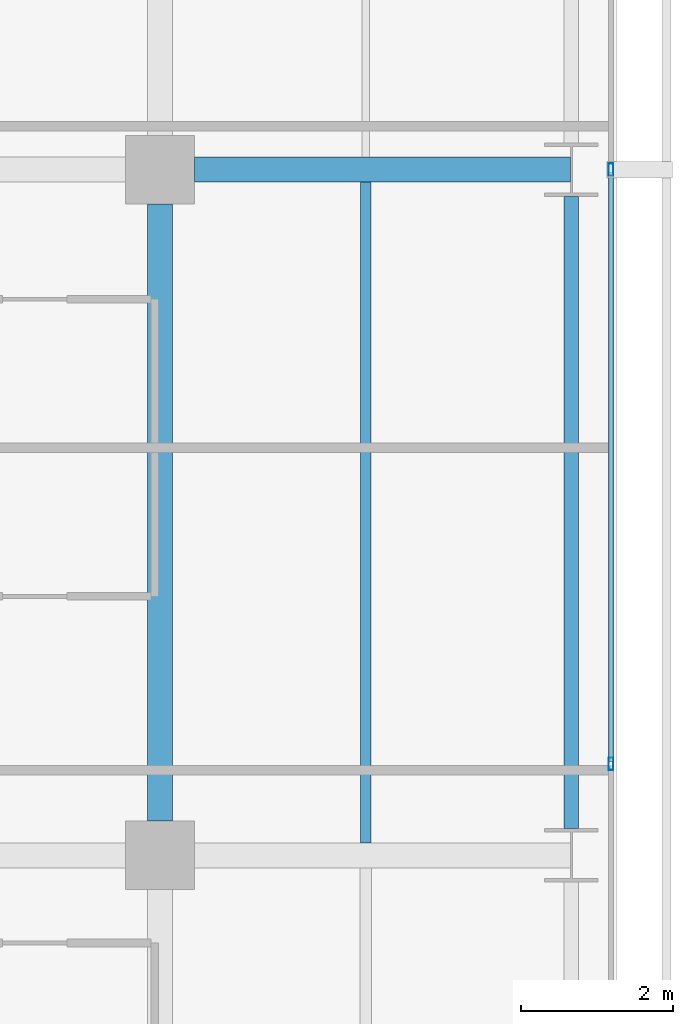
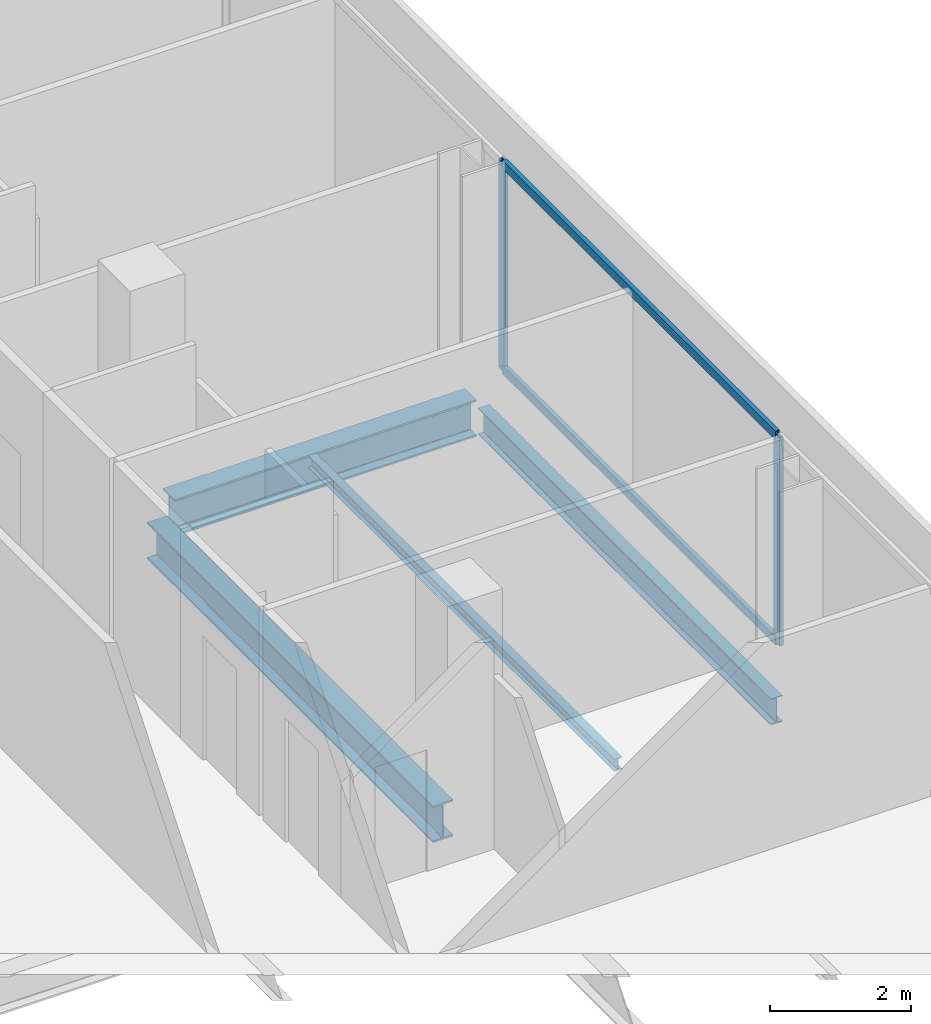
# One storey, part 19 of 40: 4 beams, 4 members, 1 element without a shape of its own.
"""IFC4 building model written with IfcOpenShell, lengths in metres."""

from ifc_helpers import new_model, si_unit, direction, frame, origin, origin_2d, place, context, subcontext, project, spatial, hollow_rectangle, i_section, extrude, material, layer, layer_set, material_profile, profile_set, type_object, element, aggregate, save


model = new_model("IFC4")

# Units and contexts
model_context = context("Model", 3, precision=1e-05, world=origin(), true_north=direction((0.0, 1.0)))
body_context = subcontext(model_context, "Body", "Model", "MODEL_VIEW")
ifc_project = project(units=[si_unit("LENGTHUNIT", "METRE"), si_unit("AREAUNIT", "SQUARE_METRE"), si_unit("VOLUMEUNIT", "CUBIC_METRE"), si_unit("PLANEANGLEUNIT", "RADIAN"), si_unit("MASSUNIT", "GRAM", prefix="KILO")], contexts=[model_context])

# Site, building, storey
site_placement = place(None, origin())
site = spatial("IfcSite", under=ifc_project, at=site_placement, CompositionType="ELEMENT")
building_placement = place(site_placement, origin())
building = spatial("IfcBuilding", under=site, at=building_placement, Name="Maruvema Waterfront Hotel and Observation Tower", CompositionType="ELEMENT")
storey_placement = place(building_placement, frame((0.0, 0.0, 30.800048828125)))
storey = spatial("IfcBuildingStorey", under=building, at=storey_placement, Name="L06", CompositionType="ELEMENT", Elevation=30.800048828125)

# Curtain wall, members
ifc_material_1 = material(Name="Anodised bronze aluminium and solar-control low-E IGU", Category="aluminium")
ifc_layer = layer(ifc_material_1, 0.159912109375, Name="Zone 1 Bronze Inner Thermal Curtain Wall System CW-02")
ifc_layer_set = layer_set([ifc_layer], Name="Anodised bronze aluminium and solar-control low-E IGU")
curtain_wall_type = type_object("IfcCurtainWallType", Name="Zone 1 Bronze Inner Thermal Curtain Wall System CW-02", PredefinedType="USERDEFINED", material=ifc_layer_set)
curtain_wall_placement = place(storey_placement, origin())
curtain_wall = element("IfcCurtainWall", 1, at=curtain_wall_placement, inside=storey, type_object=curtain_wall_type, Name="L06 Curtain Wall CW-L06-E", ObjectType="UNITISED CURTAIN WALL", PredefinedType="USERDEFINED")
ifc_material_2 = material(Name="Anodised architectural bronze aluminium", Category="aluminium")
ifc_material_profile_1 = material_profile(ifc_material_2, hollow_rectangle(XDim=0.070068359375, YDim=0.14990234375, WallThickness=0.00390625, at=origin_2d()), Name="ALU-T70x150")
ifc_profile_set_1 = profile_set([ifc_material_profile_1], Name="Anodised architectural bronze aluminium")
member_type_1 = type_object("IfcMemberType", Name="Curtain Wall Horizontal Transom ALU-T70x150", PredefinedType="USERDEFINED", material=ifc_profile_set_1)
member_1_placement = place(storey_placement, frame((64.719970703125, 19.22998046875, 0.030029296875), z_axis=(0.0, 1.0, 0.0), x_axis=(-1.0, 0.0, 0.0)))
member_1 = element("IfcMember", 2, at=member_1_placement, type_object=member_type_1, Name="CW-02 transom 3.1", ObjectType="TRANSOM", PredefinedType="USERDEFINED", context=body_context, shape_type="SweptSolid", body=[
    extrude(hollow_rectangle(XDim=0.070068359375, YDim=0.14990234375, WallThickness=0.00390625, at=origin_2d()), origin(), (0.0, 0.0, 1.0), 7.739990234375),
])
member_2_placement = place(storey_placement, frame((64.719970703125, 19.22998046875, 3.579833984375), z_axis=(0.0, 1.0, 0.0), x_axis=(-1.0, 0.0, 0.0)))
member_2 = element("IfcMember", 3, at=member_2_placement, type_object=member_type_1, Name="CW-02 transom 3.2", ObjectType="TRANSOM", PredefinedType="USERDEFINED", context=body_context, shape_type="SweptSolid", body=[
    extrude(hollow_rectangle(XDim=0.070068359375, YDim=0.14990234375, WallThickness=0.00390625, at=origin_2d()), origin(), (0.0, 0.0, 1.0), 7.739990234375),
])
ifc_material_3 = material(Name="Anodised architectural bronze aluminium", Category="aluminium")
ifc_material_profile_2 = material_profile(ifc_material_3, hollow_rectangle(XDim=0.06494140625, YDim=0.1650390625, WallThickness=0.00390625, at=origin_2d()), Name="ALU-M65x165")
ifc_profile_set_2 = profile_set([ifc_material_profile_2], Name="Anodised architectural bronze aluminium")
member_type_2 = type_object("IfcMemberType", Name="Curtain Wall Primary Mullion ALU-M65x165", PredefinedType="MULLION", material=ifc_profile_set_2)
member_3_placement = place(storey_placement, frame((64.719970703125, 19.199951171875, 0.0), z_axis=(0.0, 0.0, 1.0), x_axis=(-1.0, 0.0, 0.0)))
member_3 = element("IfcMember", 4, at=member_3_placement, type_object=member_type_2, Name="CW-02 mullion 3", PredefinedType="MULLION", context=body_context, shape_type="SweptSolid", body=[
    extrude(hollow_rectangle(XDim=0.06494140625, YDim=0.1650390625, WallThickness=0.00390625, at=origin_2d()), origin(), (0.0, 0.0, 1.0), 3.60986328125),
])
member_4_placement = place(storey_placement, frame((64.719970703125, 27.0, 0.0), z_axis=(0.0, 0.0, 1.0), x_axis=(-1.0, 0.0, 0.0)))
member_4 = element("IfcMember", 5, at=member_4_placement, type_object=member_type_2, Name="CW-02 mullion 4", PredefinedType="MULLION", context=body_context, shape_type="SweptSolid", body=[
    extrude(hollow_rectangle(XDim=0.06494140625, YDim=0.1650390625, WallThickness=0.00390625, at=origin_2d()), origin(), (0.0, 0.0, 1.0), 3.60986328125),
])
aggregate(curtain_wall, [member_3, member_4, member_1, member_2])

# Beams
ifc_material_4 = material(Name="Steel ASTM A572 Grade 50", Category="steel")
ifc_material_profile_3 = material_profile(ifc_material_4, i_section(OverallWidth=0.18994140625, OverallDepth=0.45703125, WebThickness=0.009033203125, FlangeThickness=0.014404296875, FilletRadius=0.014892578125, at=origin_2d()), Name="W460x74.0")
ifc_profile_set_3 = profile_set([ifc_material_profile_3], Name="Steel ASTM A572 Grade 50")
beam_type_1 = type_object("IfcBeamType", Name="Perimeter Spandrel Beam W460x74.0", PredefinedType="SPANDREL", material=ifc_profile_set_3)
beam_1_placement = place(storey_placement, frame((64.199951171875, 18.35009765625, -0.468505859375), z_axis=(0.0, 1.0, 0.0), x_axis=(-1.0, 0.0, 0.0)))
element("IfcBeam", 6, at=beam_1_placement, inside=storey, type_object=beam_type_1, Name="L06 Floor Girder NS-34", PredefinedType="SPANDREL", context=body_context, shape_type="SweptSolid", body=[
    extrude(i_section(OverallWidth=0.18994140625, OverallDepth=0.45703125, WebThickness=0.009033203125, FlangeThickness=0.014404296875, FilletRadius=0.014892578125, at=origin_2d()), origin(), (0.0, 0.0, 1.0), 8.2998046875),
])
ifc_material_5 = material(Name="Steel ASTM A572 Grade 50", Category="steel")
ifc_material_profile_4 = material_profile(ifc_material_5, i_section(OverallWidth=0.3291015625, OverallDepth=0.635009765625, WebThickness=0.017822265625, FlangeThickness=0.031005859375, FilletRadius=0.01806640625, at=origin_2d()), Name="W610x241.0")
ifc_profile_set_4 = profile_set([ifc_material_profile_4], Name="Steel ASTM A572 Grade 50")
beam_type_2 = type_object("IfcBeamType", Name="Primary Floor Girder W610x241.0", PredefinedType="BEAM", material=ifc_profile_set_4)
beam_2_placement = place(storey_placement, frame((59.25, 27.0, -0.5576171875), z_axis=(1.0, 0.0, 0.0), x_axis=(0.0, 1.0, 0.0)))
element("IfcBeam", 7, at=beam_2_placement, inside=storey, type_object=beam_type_2, Name="L06 Floor Girder EW-24", PredefinedType="BEAM", context=body_context, shape_type="SweptSolid", body=[
    extrude(i_section(OverallWidth=0.3291015625, OverallDepth=0.635009765625, WebThickness=0.017822265625, FlangeThickness=0.031005859375, FilletRadius=0.01806640625, at=origin_2d()), origin(), (0.0, 0.0, 1.0), 4.93603515625),
])
beam_3_placement = place(storey_placement, frame((58.800048828125, 18.449951171875, -0.5576171875), z_axis=(0.0, 1.0, 0.0), x_axis=(-1.0, 0.0, 0.0)))
element("IfcBeam", 8, at=beam_3_placement, inside=storey, type_object=beam_type_2, Name="L06 Floor Girder NS-29", PredefinedType="BEAM", context=body_context, shape_type="SweptSolid", body=[
    extrude(i_section(OverallWidth=0.3291015625, OverallDepth=0.635009765625, WebThickness=0.017822265625, FlangeThickness=0.031005859375, FilletRadius=0.01806640625, at=origin_2d()), origin(), (0.0, 0.0, 1.0), 8.10009765625),
])
ifc_material_6 = material(Name="Steel ASTM A572 Grade 50", Category="steel")
ifc_material_profile_5 = material_profile(ifc_material_6, i_section(OverallWidth=0.133056640625, OverallDepth=0.20703125, WebThickness=0.005859375, FlangeThickness=0.00830078125, FilletRadius=0.010009765625, at=origin_2d()), Name="W200x26.6")
ifc_profile_set_5 = profile_set([ifc_material_profile_5], Name="Steel ASTM A572 Grade 50")
beam_type_3 = type_object("IfcBeamType", Name="Secondary Floor Joist W200x26.6", PredefinedType="JOIST", material=ifc_profile_set_5)
beam_4_placement = place(storey_placement, frame((61.5, 18.16455078125, -0.343505859375), z_axis=(0.0, 1.0, 0.0), x_axis=(-1.0, 0.0, 0.0)))
element("IfcBeam", 9, at=beam_4_placement, inside=storey, type_object=beam_type_3, Name="L06 Secondary Floor Joist JS-22", PredefinedType="JOIST", context=body_context, shape_type="SweptSolid", body=[
    extrude(i_section(OverallWidth=0.133056640625, OverallDepth=0.20703125, WebThickness=0.005859375, FlangeThickness=0.00830078125, FilletRadius=0.010009765625, at=origin_2d()), origin(), (0.0, 0.0, 1.0), 8.6708984375),
])

save(model, "model.ifc")
